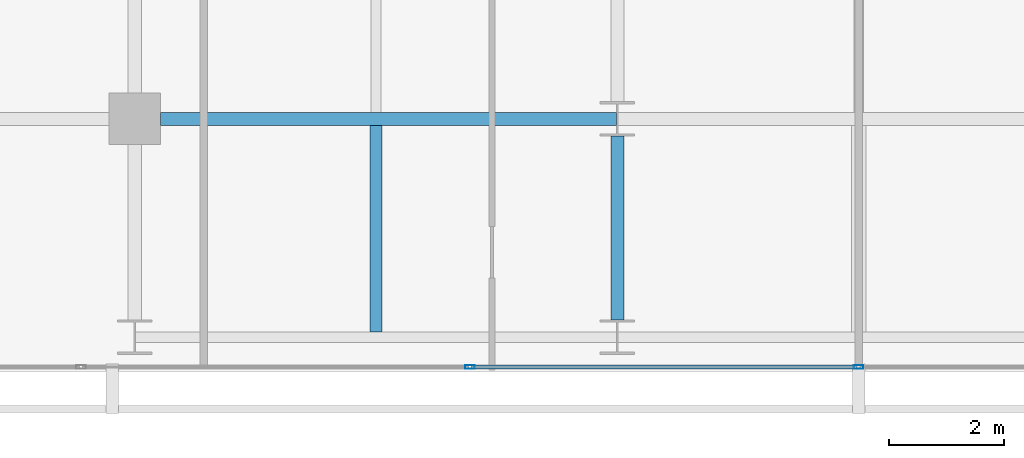
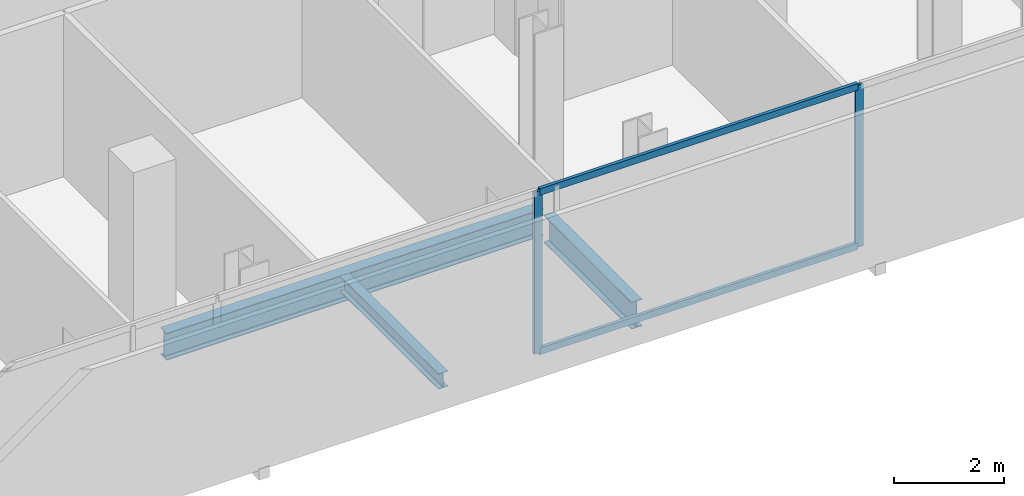
# One storey, part 6 of 34: 4 members, 3 beams, 1 element without a shape of its own.
"""IFC4 building model written with IfcOpenShell, lengths in metres."""

from ifc_helpers import new_model, si_unit, direction, frame, origin, origin_2d, place, context, subcontext, project, spatial, hollow_rectangle, i_section, extrude, material, layer, layer_set, material_profile, profile_set, type_object, element, aggregate, save


model = new_model("IFC4")

# Units and contexts
model_context = context("Model", 3, precision=1e-05, world=origin(), true_north=direction((0.0, 1.0)))
body_context = subcontext(model_context, "Body", "Model", "MODEL_VIEW")
ifc_project = project(units=[si_unit("LENGTHUNIT", "METRE"), si_unit("AREAUNIT", "SQUARE_METRE"), si_unit("VOLUMEUNIT", "CUBIC_METRE"), si_unit("PLANEANGLEUNIT", "RADIAN"), si_unit("MASSUNIT", "GRAM", prefix="KILO")], contexts=[model_context])

# Site, building, storey
site_placement = place(None, origin())
site = spatial("IfcSite", under=ifc_project, at=site_placement, CompositionType="ELEMENT")
building_placement = place(site_placement, origin())
building = spatial("IfcBuilding", under=site, at=building_placement, Name="Maruvema Waterfront Hotel and Observation Tower", CompositionType="ELEMENT")
storey_placement = place(building_placement, frame((0.0, 0.0, 189.0)))
storey = spatial("IfcBuildingStorey", under=building, at=storey_placement, Name="L46", CompositionType="ELEMENT", Elevation=189.0)

# Curtain wall, members
ifc_material_1 = material(Name="Anodised bronze aluminium and solar-control low-E IGU", Category="aluminium")
ifc_layer = layer(ifc_material_1, 0.159912109375, Name="Zone 2 Amber Inner Thermal Curtain Wall System CW-03")
ifc_layer_set = layer_set([ifc_layer], Name="Anodised bronze aluminium and solar-control low-E IGU")
curtain_wall_type = type_object("IfcCurtainWallType", Name="Zone 2 Amber Inner Thermal Curtain Wall System CW-03", PredefinedType="USERDEFINED", material=ifc_layer_set)
curtain_wall_placement = place(storey_placement, origin())
curtain_wall = element("IfcCurtainWall", 1, at=curtain_wall_placement, inside=storey, type_object=curtain_wall_type, Name="L46 Curtain Wall CW-L46-S", ObjectType="UNITISED CURTAIN WALL", PredefinedType="USERDEFINED")
ifc_material_2 = material(Name="Anodised architectural bronze aluminium", Category="aluminium")
ifc_material_profile_1 = material_profile(ifc_material_2, hollow_rectangle(XDim=0.070068359375, YDim=0.14990234375, WallThickness=0.00390625, at=origin_2d()), Name="ALU-T70x150")
ifc_profile_set_1 = profile_set([ifc_material_profile_1], Name="Anodised architectural bronze aluminium")
member_type_1 = type_object("IfcMemberType", Name="Curtain Wall Horizontal Transom ALU-T70x150", PredefinedType="USERDEFINED", material=ifc_profile_set_1)
member_1_placement = place(storey_placement, frame((31.063232421875, 4.679931640625, 0.030029296875), z_axis=(1.0, 0.0, 0.0), x_axis=(0.0, 1.0, 0.0)))
member_1 = element("IfcMember", 2, at=member_1_placement, type_object=member_type_1, Name="CW-03 transom 3.1", ObjectType="TRANSOM", PredefinedType="USERDEFINED", context=body_context, shape_type="SweptSolid", body=[
    extrude(hollow_rectangle(XDim=0.070068359375, YDim=0.14990234375, WallThickness=0.00390625, at=origin_2d()), origin(), (0.0, 0.0, 1.0), 6.706787109375),
])
member_2_placement = place(storey_placement, frame((31.063232421875, 4.679931640625, 3.580078125), z_axis=(1.0, 0.0, 0.0), x_axis=(0.0, 1.0, 0.0)))
member_2 = element("IfcMember", 3, at=member_2_placement, type_object=member_type_1, Name="CW-03 transom 3.2", ObjectType="TRANSOM", PredefinedType="USERDEFINED", context=body_context, shape_type="SweptSolid", body=[
    extrude(hollow_rectangle(XDim=0.070068359375, YDim=0.14990234375, WallThickness=0.00390625, at=origin_2d()), origin(), (0.0, 0.0, 1.0), 6.706787109375),
])
ifc_material_3 = material(Name="Anodised architectural bronze aluminium", Category="aluminium")
ifc_material_profile_2 = material_profile(ifc_material_3, hollow_rectangle(XDim=0.06494140625, YDim=0.1650390625, WallThickness=0.00390625, at=origin_2d()), Name="ALU-M65x165")
ifc_profile_set_2 = profile_set([ifc_material_profile_2], Name="Anodised architectural bronze aluminium")
member_type_2 = type_object("IfcMemberType", Name="Curtain Wall Primary Mullion ALU-M65x165", PredefinedType="MULLION", material=ifc_profile_set_2)
member_3_placement = place(storey_placement, frame((31.033447265625, 4.679931640625, 0.0), z_axis=(0.0, 0.0, 1.0), x_axis=(0.0, 1.0, 0.0)))
member_3 = element("IfcMember", 4, at=member_3_placement, type_object=member_type_2, Name="CW-03 mullion 3", PredefinedType="MULLION", context=body_context, shape_type="SweptSolid", body=[
    extrude(hollow_rectangle(XDim=0.06494140625, YDim=0.1650390625, WallThickness=0.00390625, at=origin_2d()), origin(), (0.0, 0.0, 1.0), 3.610107421875),
])
member_4_placement = place(storey_placement, frame((37.800048828125, 4.679931640625, 0.0), z_axis=(0.0, 0.0, 1.0), x_axis=(0.0, 1.0, 0.0)))
member_4 = element("IfcMember", 5, at=member_4_placement, type_object=member_type_2, Name="CW-03 mullion 4", PredefinedType="MULLION", context=body_context, shape_type="SweptSolid", body=[
    extrude(hollow_rectangle(XDim=0.06494140625, YDim=0.1650390625, WallThickness=0.00390625, at=origin_2d()), origin(), (0.0, 0.0, 1.0), 3.610107421875),
])
aggregate(curtain_wall, [member_3, member_4, member_1, member_2])

# Beams
ifc_material_4 = material(Name="Steel ASTM A572 Grade 50", Category="steel")
ifc_material_profile_3 = material_profile(ifc_material_4, i_section(OverallWidth=0.22802734375, OverallDepth=0.60302734375, WebThickness=0.010498046875, FlangeThickness=0.014892578125, FilletRadius=0.01806640625, at=origin_2d()), Name="W610x101.0")
ifc_profile_set_3 = profile_set([ifc_material_profile_3], Name="Steel ASTM A572 Grade 50")
beam_type_1 = type_object("IfcBeamType", Name="Primary Floor Girder W610x101.0", PredefinedType="BEAM", material=ifc_profile_set_3)
beam_1_placement = place(storey_placement, frame((25.64990234375, 9.0, -0.54150390625), z_axis=(1.0, 0.0, 0.0), x_axis=(0.0, 1.0, 0.0)))
element("IfcBeam", 6, at=beam_1_placement, inside=storey, type_object=beam_type_1, Name="L46 Floor Girder EW-06", PredefinedType="BEAM", context=body_context, shape_type="SweptSolid", body=[
    extrude(i_section(OverallWidth=0.22802734375, OverallDepth=0.60302734375, WebThickness=0.010498046875, FlangeThickness=0.014892578125, FilletRadius=0.01806640625, at=origin_2d()), origin(), (0.0, 0.0, 1.0), 7.9375),
])
beam_2_placement = place(storey_placement, frame((33.60009765625, 5.5, -0.54150390625), z_axis=(0.0, 1.0, 0.0), x_axis=(-1.0, 0.0, 0.0)))
element("IfcBeam", 7, at=beam_2_placement, inside=storey, type_object=beam_type_1, Name="L46 Floor Girder NS-14", PredefinedType="BEAM", context=body_context, shape_type="SweptSolid", body=[
    extrude(i_section(OverallWidth=0.22802734375, OverallDepth=0.60302734375, WebThickness=0.010498046875, FlangeThickness=0.014892578125, FilletRadius=0.01806640625, at=origin_2d()), origin(), (0.0, 0.0, 1.0), 3.199951171875),
])
ifc_material_5 = material(Name="Steel ASTM A572 Grade 50", Category="steel")
ifc_material_profile_4 = material_profile(ifc_material_5, i_section(OverallWidth=0.202880859375, OverallDepth=0.346923828125, WebThickness=0.0078125, FlangeThickness=0.013427734375, FilletRadius=0.014892578125, at=origin_2d()), Name="W360x64.0")
ifc_profile_set_4 = profile_set([ifc_material_profile_4], Name="Steel ASTM A572 Grade 50")
beam_type_2 = type_object("IfcBeamType", Name="Secondary Floor Joist W360x64.0", PredefinedType="JOIST", material=ifc_profile_set_4)
beam_3_placement = place(storey_placement, frame((29.39990234375, 5.29052734375, -0.41357421875), z_axis=(0.0, 1.0, 0.0), x_axis=(-1.0, 0.0, 0.0)))
element("IfcBeam", 8, at=beam_3_placement, inside=storey, type_object=beam_type_2, Name="L46 Secondary Floor Joist JS-05", PredefinedType="JOIST", context=body_context, shape_type="SweptSolid", body=[
    extrude(i_section(OverallWidth=0.202880859375, OverallDepth=0.346923828125, WebThickness=0.0078125, FlangeThickness=0.013427734375, FilletRadius=0.014892578125, at=origin_2d()), origin(), (0.0, 0.0, 1.0), 3.595458984375),
])

save(model, "model.ifc")
